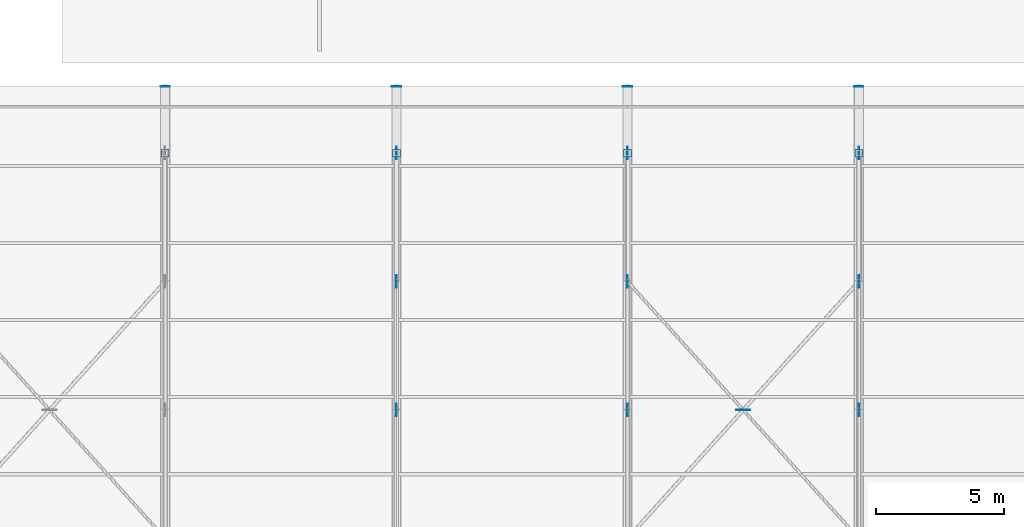
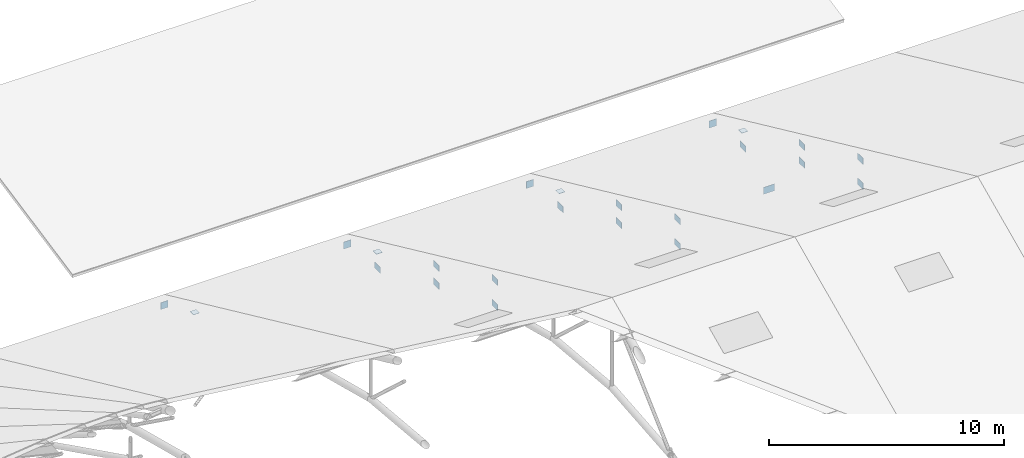
# One storey, part 96 of 107: 24 plates.
"""IFC4 building model written with IfcOpenShell, lengths in metres."""

from ifc_helpers import new_model, si_unit, derived_unit, direction, frame, origin, origin_2d, place, context, subcontext, project, spatial, rectangle, extrude, material, layer, layer_set, type_object, element, save


model = new_model("IFC4")

# Units and contexts
model_context = context("Model", 3, precision=1e-05, world=origin(), true_north=direction((0.0, 1.0)))
body_context = subcontext(model_context, "Body", "Model", "MODEL_VIEW")
ifc_project = project(units=[si_unit("LENGTHUNIT", "METRE"), si_unit("AREAUNIT", "SQUARE_METRE"), si_unit("VOLUMEUNIT", "CUBIC_METRE"), si_unit("PLANEANGLEUNIT", "RADIAN"), si_unit("MASSUNIT", "GRAM", prefix="KILO"), si_unit("THERMODYNAMICTEMPERATUREUNIT", "KELVIN"), si_unit("TIMEUNIT", "SECOND"), derived_unit("THERMALTRANSMITTANCEUNIT", [(si_unit("MASSUNIT", "GRAM", prefix="KILO"), 1), (si_unit("THERMODYNAMICTEMPERATUREUNIT", "KELVIN"), -1), (si_unit("TIMEUNIT", "SECOND"), -3)])], contexts=[model_context])

# Site, building, storey
site_placement = place(None, origin())
site = spatial("IfcSite", under=ifc_project, at=site_placement, CompositionType="ELEMENT")
building_placement = place(site_placement, origin())
building = spatial("IfcBuilding", under=site, at=building_placement, Name="Cambertide Market Hall", CompositionType="ELEMENT")
storey_placement = place(building_placement, frame((0.0, 0.0, 18.300048828125)))
storey = spatial("IfcBuildingStorey", under=building, at=storey_placement, Name="RF", CompositionType="ELEMENT", Elevation=18.300048828125)

# Plates
ifc_material_1 = material(Name="Steel S355", Category="steel")
ifc_layer_1 = layer(ifc_material_1, 0.013916015625, Name="Steel End Cap Plate EC-02")
ifc_layer_set_1 = layer_set([ifc_layer_1], Name="Steel S355")
plate_type_1 = type_object("IfcPlateType", Name="Steel End Cap Plate EC-02", PredefinedType="USERDEFINED", material=ifc_layer_set_1)
for number, where, z_axis, x_axis, name in (
    (1, (51.0, 92.0, -9.55712890625), (0.0, 0.0, 1.0), (1.0, 0.0, 0.0), "High-Bay Brace Connection End Cap Plate EC-BRN-022"),
    (2, (60.0, 92.0, -9.55712890625), (0.0, 0.0, 1.0), (1.0, 0.0, 0.0), "High-Bay Brace Connection End Cap Plate EC-BRN-033"),
    (3, (69.0, 92.0, -9.55712890625), (0.0, 0.0, 1.0), (1.0, 0.0, 0.0), "High-Bay Brace Connection End Cap Plate EC-BRN-044"),
    (4, (78.0, 92.0, -9.55712890625), (0.0, 0.0, 1.0), (1.0, 0.0, 0.0), "High-Bay Brace Connection End Cap Plate EC-BRN-055"),
):
    element("IfcPlate", number, at=place(storey_placement, frame(where, z_axis=z_axis, x_axis=x_axis)), inside=storey, type_object=plate_type_1, Name=name, ObjectType="END CAP PLATE", PredefinedType="USERDEFINED", context=body_context, shape_type="SweptSolid", body=[
        extrude(rectangle(XDim=0.300048828125, YDim=0.300048828125, at=origin_2d()), origin(), (0.0, 0.0, 1.0), 0.013916015625),
    ])
ifc_material_2 = material(Name="Steel S355", Category="steel")
ifc_layer_2 = layer(ifc_material_2, 0.02392578125, Name="Steel End Cap Plate EC-03E")
ifc_layer_set_2 = layer_set([ifc_layer_2], Name="Steel S355")
plate_type_2 = type_object("IfcPlateType", Name="Steel End Cap Plate EC-03E", PredefinedType="USERDEFINED", material=ifc_layer_set_2)
for number, where, z_axis, x_axis, name in (
    (5, (51.0, 94.60009765625, -10.92626953125), (0.0, 0.0, 1.0), (1.0, 0.0, 0.0), "Eave Overhang End Cap Plate 2-N"),
    (6, (60.0, 94.60009765625, -10.92626953125), (0.0, 0.0, 1.0), (1.0, 0.0, 0.0), "Eave Overhang End Cap Plate 3-N"),
    (7, (69.0, 94.60009765625, -10.92626953125), (0.0, 0.0, 1.0), (1.0, 0.0, 0.0), "Eave Overhang End Cap Plate 4-N"),
    (8, (78.0, 94.60009765625, -10.92626953125), (0.0, 0.0, 1.0), (1.0, 0.0, 0.0), "Eave Overhang End Cap Plate 5-N"),
):
    element("IfcPlate", number, at=place(storey_placement, frame(where, z_axis=z_axis, x_axis=x_axis)), inside=storey, type_object=plate_type_2, Name=name, ObjectType="END CAP PLATE", PredefinedType="USERDEFINED", context=body_context, shape_type="SweptSolid", body=[
        extrude(rectangle(XDim=0.360107421875, YDim=0.02392578125, at=origin_2d()), origin(), (0.0, 0.0, 1.0), 0.360107421875),
    ])
ifc_material_3 = material(Name="Steel S355", Category="steel")
ifc_layer_3 = layer(ifc_material_3, 0.02001953125, Name="Steel Gusset Plate GP-01")
ifc_layer_set_3 = layer_set([ifc_layer_3], Name="Steel S355")
plate_type_3 = type_object("IfcPlateType", Name="Steel Gusset Plate GP-01", PredefinedType="USERDEFINED", material=ifc_layer_set_3)
plate_placement = place(storey_placement, frame((73.5, 82.0, -5.1298828125), z_axis=(0.0, 0.0, 1.0), x_axis=(1.0, 0.0, 0.0)))
element("IfcPlate", 9, at=plate_placement, inside=storey, type_object=plate_type_3, Name="Wind X-Brace Crossing Gusset Plate 4-N", ObjectType="GUSSET PLATE", PredefinedType="USERDEFINED", context=body_context, shape_type="SweptSolid", body=[
    extrude(rectangle(XDim=0.5400390625, YDim=0.02001953125, at=origin_2d()), origin(), (0.0, 0.0, 1.0), 0.360107421875),
])
ifc_material_4 = material(Name="Steel S355", Category="steel")
ifc_layer_4 = layer(ifc_material_4, 0.01806640625, Name="Steel Gusset Plate GP-02")
ifc_layer_set_4 = layer_set([ifc_layer_4], Name="Steel S355")
plate_type_4 = type_object("IfcPlateType", Name="Steel Gusset Plate GP-02", PredefinedType="USERDEFINED", material=ifc_layer_set_4)
for number, where, z_axis, x_axis, name in (
    (10, (60.0, 82.0, -5.10986328125), (0.0, 0.0, 1.0), (1.0, 0.0, 0.0), "Arch Truss 3 Node Gusset Plate 6"),
    (11, (60.0, 87.0, -7.41015625), (0.0, 0.0, 1.0), (1.0, 0.0, 0.0), "Arch Truss 3 Node Gusset Plate 7"),
    (12, (69.0, 82.0, -5.10986328125), (0.0, 0.0, 1.0), (1.0, 0.0, 0.0), "Arch Truss 4 Node Gusset Plate 6"),
    (13, (69.0, 87.0, -7.41015625), (0.0, 0.0, 1.0), (1.0, 0.0, 0.0), "Arch Truss 4 Node Gusset Plate 7"),
    (14, (78.0, 82.0, -5.10986328125), (0.0, 0.0, 1.0), (1.0, 0.0, 0.0), "Arch Truss 5 Node Gusset Plate 6"),
    (15, (78.0, 87.0, -7.41015625), (0.0, 0.0, 1.0), (1.0, 0.0, 0.0), "Arch Truss 5 Node Gusset Plate 7"),
):
    element("IfcPlate", number, at=place(storey_placement, frame(where, z_axis=z_axis, x_axis=x_axis)), inside=storey, type_object=plate_type_4, Name=name, ObjectType="GUSSET PLATE", PredefinedType="USERDEFINED", context=body_context, shape_type="SweptSolid", body=[
        extrude(rectangle(XDim=0.01806640625, YDim=0.47998046875, at=origin_2d()), origin(), (0.0, 0.0, 1.0), 0.320068359375),
    ])
for number, where, z_axis, x_axis, name in (
    (16, (60.0, 82.0, -6.4111328125), (0.0, 0.0, 1.0), (0.0, 1.0, 0.0), "High-Bay Brace Connection Gusset Plate GP-BRN-028"),
    (17, (60.0, 87.0, -8.3369140625), (0.0, 0.0, 1.0), (0.0, 1.0, 0.0), "High-Bay Brace Connection Gusset Plate GP-BRN-029"),
    (18, (60.0, 92.0, -10.5400390625), (0.0, 0.0, 1.0), (0.0, 1.0, 0.0), "High-Bay Brace Connection Gusset Plate GP-BRN-030"),
    (19, (69.0, 82.0, -6.4111328125), (0.0, 0.0, 1.0), (0.0, 1.0, 0.0), "High-Bay Brace Connection Gusset Plate GP-BRN-039"),
    (20, (69.0, 87.0, -8.3369140625), (0.0, 0.0, 1.0), (0.0, 1.0, 0.0), "High-Bay Brace Connection Gusset Plate GP-BRN-040"),
    (21, (69.0, 92.0, -10.5400390625), (0.0, 0.0, 1.0), (0.0, 1.0, 0.0), "High-Bay Brace Connection Gusset Plate GP-BRN-041"),
    (22, (78.0, 82.0, -6.4111328125), (0.0, 0.0, 1.0), (0.0, 1.0, 0.0), "High-Bay Brace Connection Gusset Plate GP-BRN-050"),
    (23, (78.0, 87.0, -8.3369140625), (0.0, 0.0, 1.0), (0.0, 1.0, 0.0), "High-Bay Brace Connection Gusset Plate GP-BRN-051"),
    (24, (78.0, 92.0, -10.5400390625), (0.0, 0.0, 1.0), (0.0, 1.0, 0.0), "High-Bay Brace Connection Gusset Plate GP-BRN-052"),
):
    element("IfcPlate", number, at=place(storey_placement, frame(where, z_axis=z_axis, x_axis=x_axis)), inside=storey, type_object=plate_type_4, Name=name, ObjectType="GUSSET PLATE", PredefinedType="USERDEFINED", context=body_context, shape_type="SweptSolid", body=[
        extrude(rectangle(XDim=0.47998046875, YDim=0.01806640625, at=origin_2d()), origin(), (0.0, 0.0, 1.0), 0.320068359375),
    ])

save(model, "model.ifc")
